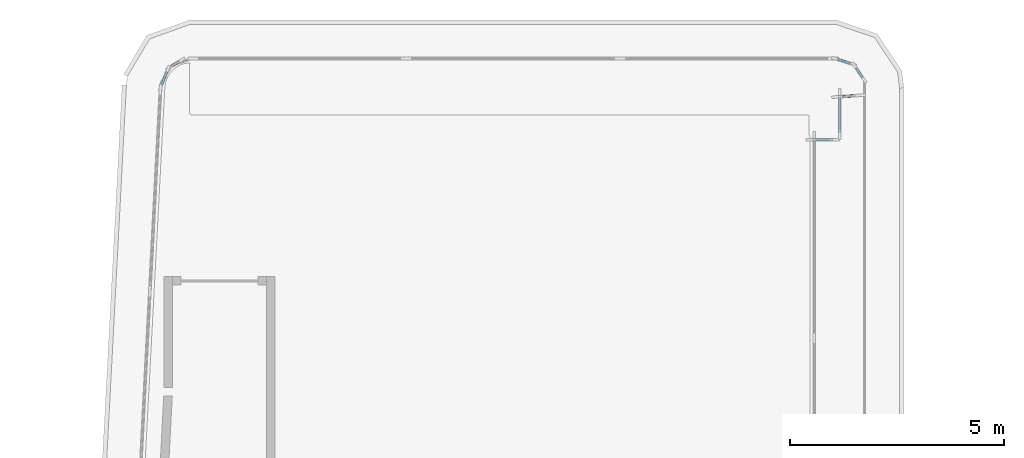
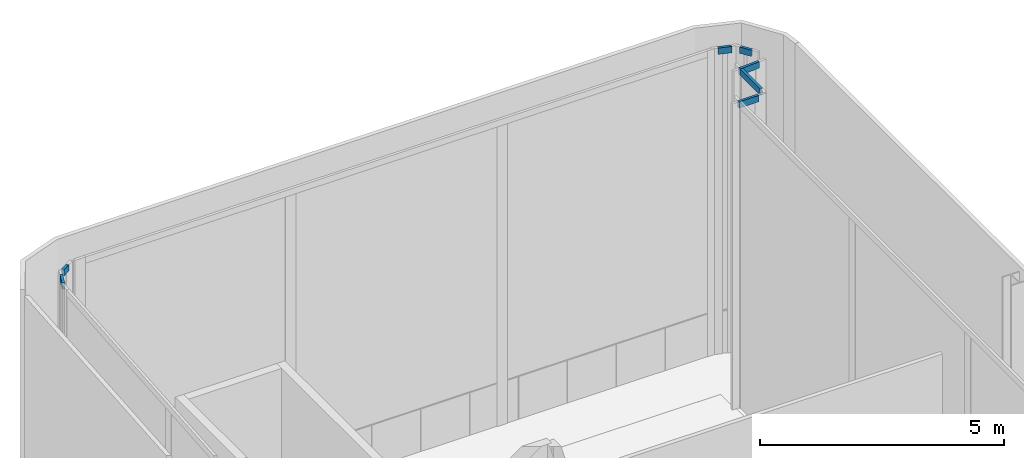
# One storey, part 14 of 27: 7 members, 7 elements without a shape of their own.
"""IFC4 building model written with IfcOpenShell, lengths in metres."""

from ifc_helpers import new_model, si_unit, direction, frame, origin, origin_2d, place, context, subcontext, project, spatial, rectangle, extrude, material, layer, layer_set, material_profile, profile_set, type_object, element, aggregate, save


model = new_model("IFC4")

# Units and contexts
model_context = context("Model", 3, precision=1e-05, world=origin(), true_north=direction((0.0, 1.0)))
body_context = subcontext(model_context, "Body", "Model", "MODEL_VIEW")
ifc_project = project(units=[si_unit("LENGTHUNIT", "METRE"), si_unit("AREAUNIT", "SQUARE_METRE"), si_unit("VOLUMEUNIT", "CUBIC_METRE"), si_unit("PLANEANGLEUNIT", "RADIAN"), si_unit("MASSUNIT", "GRAM", prefix="KILO")], contexts=[model_context])

# Site, building, storey
site_placement = place(None, origin())
site = spatial("IfcSite", under=ifc_project, at=site_placement, CompositionType="ELEMENT")
building_placement = place(site_placement, origin())
building = spatial("IfcBuilding", under=site, at=building_placement, Name="Kheshtan School and Residences Tower", CompositionType="ELEMENT")
storey_placement = place(building_placement, frame((0.0, 0.0, 266.89990234375)))
storey = spatial("IfcBuildingStorey", under=building, at=storey_placement, Name="L63", CompositionType="ELEMENT", Elevation=266.89990234375)

# Curtain wall, member
ifc_material_1 = material(Name="Clear low-e glass in thermally broken aluminium frame", Category="aluminium")
ifc_layer = layer(ifc_material_1, 0.25)
ifc_layer_set = layer_set([ifc_layer], Name="Curtain wall CW-K")
curtain_wall_type = type_object("IfcCurtainWallType", Name="Curtain wall CW-K", PredefinedType="NOTDEFINED", material=ifc_layer_set)
curtain_wall_1_placement = place(storey_placement, origin())
curtain_wall_1 = element("IfcCurtainWall", 1, at=curtain_wall_1_placement, inside=storey, type_object=curtain_wall_type, Name="Curtain wall CWK11a", PredefinedType="NOTDEFINED")
ifc_material_2 = material(Name="Thermally broken aluminium, dark bronze anodised", Category="aluminium")
ifc_material_profile = material_profile(ifc_material_2, rectangle(XDim=0.06005859375, YDim=0.159912109375, at=origin_2d()), Name="CW-K transom 60x160")
ifc_profile_set = profile_set([ifc_material_profile], Name="Thermally broken aluminium, dark bronze anodised")
member_type = type_object("IfcMemberType", Name="CW-K transom 60x160", PredefinedType="USERDEFINED", material=ifc_profile_set)
member_1_placement = place(storey_placement, frame((30.75146484375, 98.59375, 7.570068359375), z_axis=(0.370720586552, 0.928744446393, 0.0), x_axis=(-0.928744446393, 0.370720586552, 0.0)))
member_1 = element("IfcMember", 2, at=member_1_placement, type_object=member_type, Name="CWK11a transom 1", ObjectType="TRANSOM", PredefinedType="USERDEFINED", context=body_context, shape_type="SweptSolid", body=[
    extrude(rectangle(XDim=0.06005859375, YDim=0.159912109375, at=origin_2d()), origin(), (0.0, 0.0, 1.0), 0.314208984375),
])
aggregate(curtain_wall_1, [member_1])

curtain_wall_2_placement = place(storey_placement, origin())
curtain_wall_2 = element("IfcCurtainWall", 3, at=curtain_wall_2_placement, inside=storey, type_object=curtain_wall_type, Name="Curtain wall CWK12a", PredefinedType="NOTDEFINED")
member_2_placement = place(storey_placement, frame((30.981689453125, 99.0205078125, 7.570068359375), z_axis=(0.851698929261, 0.524031424531, 0.0), x_axis=(-0.524031424531, 0.851698929261, 0.0)))
member_2 = element("IfcMember", 4, at=member_2_placement, type_object=member_type, Name="CWK12a transom 1", ObjectType="TRANSOM", PredefinedType="USERDEFINED", context=body_context, shape_type="SweptSolid", body=[
    extrude(rectangle(XDim=0.06005859375, YDim=0.159912109375, at=origin_2d()), origin(), (0.0, 0.0, 1.0), 0.206298828125),
])
aggregate(curtain_wall_2, [member_2])

curtain_wall_3_placement = place(storey_placement, origin())
curtain_wall_3 = element("IfcCurtainWall", 5, at=curtain_wall_3_placement, inside=storey, type_object=curtain_wall_type, Name="Curtain wall CWK14a", PredefinedType="NOTDEFINED")
member_3_placement = place(storey_placement, frame((46.5576171875, 99.177001953125, 7.570068359375), z_axis=(0.95258765561, -0.304264290347, 0.0), x_axis=(0.304264290347, 0.95258765561, 0.0)))
member_3 = element("IfcMember", 6, at=member_3_placement, type_object=member_type, Name="CWK14a transom 1", ObjectType="TRANSOM", PredefinedType="USERDEFINED", context=body_context, shape_type="SweptSolid", body=[
    extrude(rectangle(XDim=0.06005859375, YDim=0.159912109375, at=origin_2d()), origin(), (0.0, 0.0, 1.0), 0.29443359375),
])
aggregate(curtain_wall_3, [member_3])

curtain_wall_4_placement = place(storey_placement, origin())
curtain_wall_4 = element("IfcCurtainWall", 7, at=curtain_wall_4_placement, inside=storey, type_object=curtain_wall_type, Name="Curtain wall CWK15a", PredefinedType="NOTDEFINED")
member_4_placement = place(storey_placement, frame((46.9814453125, 98.979736328125, 7.570068359375), z_axis=(0.555554602959, -0.831480055762, 0.0), x_axis=(0.831480055762, 0.555554602959, 0.0)))
member_4 = element("IfcMember", 8, at=member_4_placement, type_object=member_type, Name="CWK15a transom 1", ObjectType="TRANSOM", PredefinedType="USERDEFINED", context=body_context, shape_type="SweptSolid", body=[
    extrude(rectangle(XDim=0.06005859375, YDim=0.159912109375, at=origin_2d()), origin(), (0.0, 0.0, 1.0), 0.263671875),
])
aggregate(curtain_wall_4, [member_4])

curtain_wall_5_placement = place(storey_placement, origin())
curtain_wall_5 = element("IfcCurtainWall", 9, at=curtain_wall_5_placement, inside=storey, type_object=curtain_wall_type, Name="Curtain wall CWK16a", PredefinedType="NOTDEFINED")
member_5_placement = place(storey_placement, frame((47.046630859375, 98.33642578125, 7.570068359375), z_axis=(-0.997889406483, -0.064936372155, 0.0), x_axis=(0.064936372155, -0.997889406483, 0.0)))
member_5 = element("IfcMember", 10, at=member_5_placement, type_object=member_type, Name="CWK16a transom 1", ObjectType="TRANSOM", PredefinedType="USERDEFINED", context=body_context, shape_type="SweptSolid", body=[
    extrude(rectangle(XDim=0.06005859375, YDim=0.159912109375, at=origin_2d()), origin(), (0.0, 0.0, 1.0), 0.481201171875),
])
aggregate(curtain_wall_5, [member_5])

curtain_wall_6_placement = place(storey_placement, origin())
curtain_wall_6 = element("IfcCurtainWall", 11, at=curtain_wall_6_placement, inside=storey, type_object=curtain_wall_type, Name="Curtain wall CWK17a", PredefinedType="NOTDEFINED")
member_6_placement = place(storey_placement, frame((46.60009765625, 98.341064453125, 7.570068359375), z_axis=(0.0, -1.0, 0.0), x_axis=(1.0, 0.0, 0.0)))
member_6 = element("IfcMember", 12, at=member_6_placement, type_object=member_type, Name="CWK17a transom 1", ObjectType="TRANSOM", PredefinedType="USERDEFINED", context=body_context, shape_type="SweptSolid", body=[
    extrude(rectangle(XDim=0.06005859375, YDim=0.159912109375, at=origin_2d()), origin(), (0.0, 0.0, 1.0), 0.881103515625),
])
aggregate(curtain_wall_6, [member_6])

curtain_wall_7_placement = place(storey_placement, origin())
curtain_wall_7 = element("IfcCurtainWall", 13, at=curtain_wall_7_placement, inside=storey, type_object=curtain_wall_type, Name="Curtain wall CWK18a", PredefinedType="NOTDEFINED")
member_7_placement = place(storey_placement, frame((46.43994140625, 97.300048828125, 7.570068359375), z_axis=(-1.0, 0.0, 0.0), x_axis=(0.0, -1.0, 0.0)))
member_7 = element("IfcMember", 14, at=member_7_placement, type_object=member_type, Name="CWK18a transom 1", ObjectType="TRANSOM", PredefinedType="USERDEFINED", context=body_context, shape_type="SweptSolid", body=[
    extrude(rectangle(XDim=0.06005859375, YDim=0.159912109375, at=origin_2d()), origin(), (0.0, 0.0, 1.0), 0.47998046875),
])
aggregate(curtain_wall_7, [member_7])

save(model, "model.ifc")
